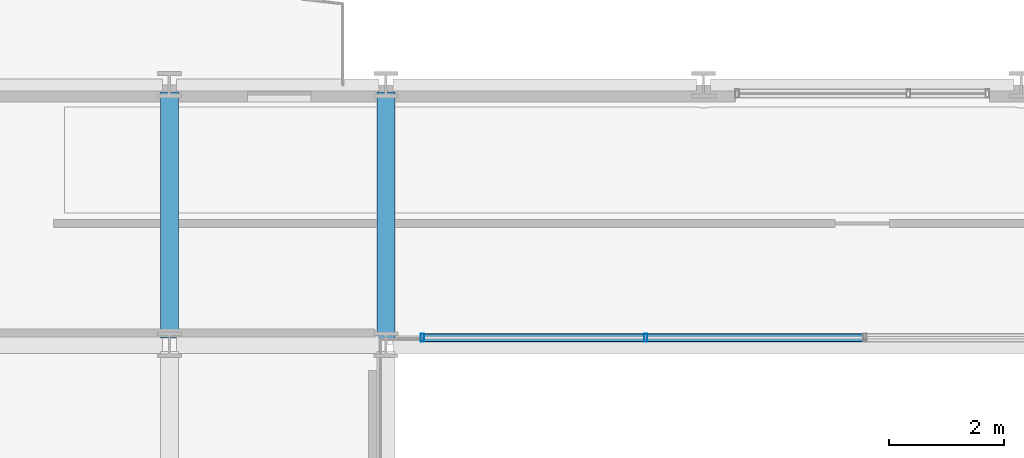
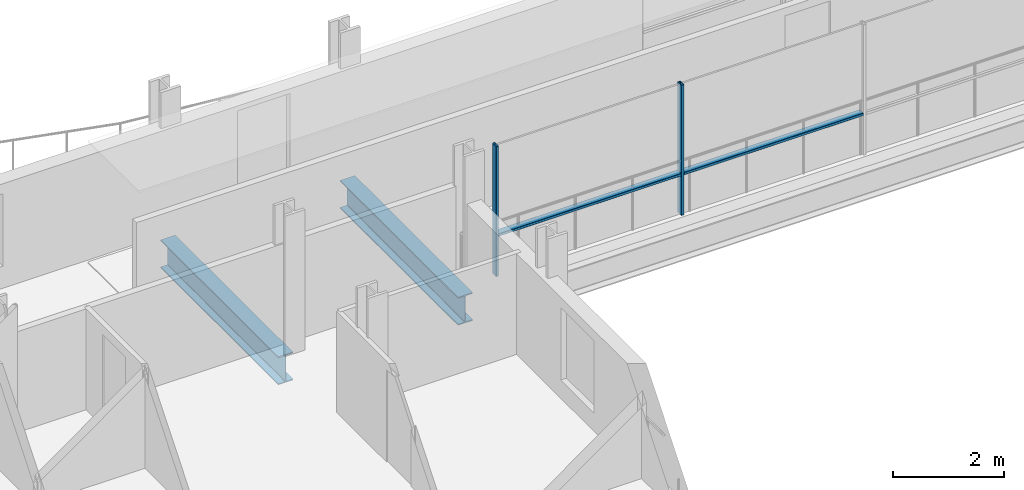
# One storey, part 9 of 41: 4 members, 2 beams, 1 element without a shape of its own.
"""IFC4 building model written with IfcOpenShell, lengths in metres."""

import ifcopenshell
import ifcopenshell.guid

model = None  # the IFC model being written
_history = None  # IfcOwnerHistory: only IFC2X3 demands one
_inside = {}  # id of a spatial element -> (the spatial element, [elements in it])
_under = {}  # id of a project, library or spatial element -> (it, [spatial elements below it])
_declared = {}  # id of a project -> (the project, [libraries it declares])
_typed = {}  # id of a type object -> (the type object, [elements of that type])
_made_of = {}  # id of a material, layer set ... -> (it, [elements and type objects made of it])


def new_model(schema):
    """Start an empty IFC model of exactly this schema.

    Asked for "IFC4X3", IfcOpenShell would pick the latest addendum, in which some entities
    have other attributes; the version numbers below select the first issue.
    IFC2X3 requires an IfcOwnerHistory on every rooted entity: one is made here for all.
    """
    global model, _history
    if schema == "IFC4X3":
        model = ifcopenshell.file(schema_version=(4, 3, 0, 0))
    else:
        model = ifcopenshell.file(schema=schema)
    _inside.clear()
    _under.clear()
    _declared.clear()
    _typed.clear()
    _made_of.clear()
    _history = None
    if model.schema == "IFC2X3":
        org = make("IfcOrganization", Name="unknown")
        user = make(
            "IfcPersonAndOrganization",
            ThePerson=make("IfcPerson", FamilyName="unknown"),
            TheOrganization=org,
        )
        app = make(
            "IfcApplication",
            ApplicationDeveloper=org,
            Version="unknown",
            ApplicationFullName="unknown",
            ApplicationIdentifier="unknown",
        )
        _history = make(
            "IfcOwnerHistory",
            OwningUser=user,
            OwningApplication=app,
            ChangeAction="ADDED",
            CreationDate=0,
        )
    return model


def make(cls, **values):
    """One entity of the class cls with the attributes given. An attribute that is None is left unset."""
    return model.create_entity(
        cls, **{name: value for name, value in values.items() if value is not None}
    )


def rooted(cls, **values):
    """An entity with a GlobalId (a new one), such as an element, a storey or a relation."""
    return make(cls, GlobalId=ifcopenshell.guid.new(), OwnerHistory=_history, **values)


def si_unit(unit_type, name, prefix=None):
    """IfcSIUnit, for example si_unit("LENGTHUNIT", "METRE", prefix="MILLI")."""
    return make("IfcSIUnit", UnitType=unit_type, Prefix=prefix, Name=name)


def assignment(units):
    """IfcUnitAssignment: the units of a project."""
    return None if units is None else make("IfcUnitAssignment", Units=units)


def point(xyz):
    """IfcCartesianPoint."""
    return None if xyz is None else make("IfcCartesianPoint", Coordinates=xyz)


def direction(xyz):
    """IfcDirection."""
    return None if xyz is None else make("IfcDirection", DirectionRatios=xyz)


def frame(location, z_axis=None, x_axis=None):
    """IfcAxis2Placement3D, a coordinate frame: its origin and axes. An axis left out is left unset."""
    return make(
        "IfcAxis2Placement3D",
        Location=point(location),
        Axis=direction(z_axis),
        RefDirection=direction(x_axis),
    )


def frame_2d(location, x_axis=None):
    """IfcAxis2Placement2D, a coordinate frame in the plane: its origin and x axis."""
    return make(
        "IfcAxis2Placement2D", Location=point(location), RefDirection=direction(x_axis)
    )


def origin():
    """The frame at (0, 0, 0) with its axes left unset."""
    return frame((0.0, 0.0, 0.0))


def origin_2d():
    """The frame at (0, 0) in the plane with its x axis left unset."""
    return frame_2d((0.0, 0.0))


def place(relative_to, where):
    """IfcLocalPlacement: puts the frame where relative to a parent placement (None: the world)."""
    return make(
        "IfcLocalPlacement", PlacementRelTo=relative_to, RelativePlacement=where
    )


def context(
    kind, dimensions, precision=None, world=None, true_north=None, identifier=None
):
    """IfcGeometricRepresentationContext, for example the 3D "Model" context."""
    return make(
        "IfcGeometricRepresentationContext",
        ContextIdentifier=identifier,
        ContextType=kind,
        CoordinateSpaceDimension=dimensions,
        Precision=precision,
        WorldCoordinateSystem=world,
        TrueNorth=true_north,
    )


def subcontext(parent, identifier, kind, view, scale=None):
    """IfcGeometricRepresentationSubContext, for example "Body" below "Model"."""
    return make(
        "IfcGeometricRepresentationSubContext",
        ContextIdentifier=identifier,
        ContextType=kind,
        ParentContext=parent,
        TargetScale=scale,
        TargetView=view,
    )


def project(units=None, contexts=None):
    """IfcProject with its units and contexts."""
    return rooted(
        "IfcProject",
        Name="project",
        RepresentationContexts=contexts,
        UnitsInContext=assignment(units),
    )


def spatial(cls, under=None, at=None, **own):
    """A site, building, storey or space (cls), placed at a placement, below another one or the project."""
    s = rooted(cls, ObjectPlacement=at, **own)
    if under is not None:
        _under.setdefault(under.id(), (under, []))[1].append(s)
    return s


def profile(cls, at=None, kind="AREA", **sizes):
    """A parametric profile (cls). Its sizes go by their IFC names, for example OverallWidth=200.0."""
    return make(cls, ProfileType=kind, Position=at, **sizes)


def hollow_rectangle(**sizes):
    """IfcRectangleHollowProfileDef."""
    return profile("IfcRectangleHollowProfileDef", **sizes)


def i_section(**sizes):
    """IfcIShapeProfileDef."""
    return profile("IfcIShapeProfileDef", **sizes)


def extrude(swept, where, along, depth):
    """IfcExtrudedAreaSolid: the profile swept, set in the frame where, extruded along a direction by depth."""
    return make(
        "IfcExtrudedAreaSolid",
        SweptArea=swept,
        Position=where,
        ExtrudedDirection=direction(along),
        Depth=depth,
    )


def shape(context_of_items, identifier, shape_type, items):
    """IfcShapeRepresentation: the items that make up one representation, for example the "Body"."""
    return make(
        "IfcShapeRepresentation",
        ContextOfItems=context_of_items,
        RepresentationIdentifier=identifier,
        RepresentationType=shape_type,
        Items=items,
    )


def material(Name=None, Category=None):
    """IfcMaterial."""
    return make("IfcMaterial", Name=Name, Category=Category)


def layer(
    of_material, thickness, ventilated=None, Name=None, Category=None, Priority=None
):
    """IfcMaterialLayer: one layer of a wall or slab, of a material (None: an air gap)."""
    return make(
        "IfcMaterialLayer",
        Material=of_material,
        LayerThickness=thickness,
        IsVentilated=ventilated,
        Name=Name,
        Category=Category,
        Priority=Priority,
    )


def layer_set(layers, Name=None):
    """IfcMaterialLayerSet."""
    return make("IfcMaterialLayerSet", MaterialLayers=layers, LayerSetName=Name)


def material_profile(
    of_material, cross_section, Name=None, Category=None, Priority=None
):
    """IfcMaterialProfile: a cross section and its material."""
    return make(
        "IfcMaterialProfile",
        Name=Name,
        Material=of_material,
        Profile=cross_section,
        Priority=Priority,
        Category=Category,
    )


def profile_set(profiles, Name=None, composite=None):
    """IfcMaterialProfileSet."""
    return make(
        "IfcMaterialProfileSet",
        Name=Name,
        MaterialProfiles=profiles,
        CompositeProfile=composite,
    )


def made_of(thing, what):
    """Note that an element or type object is made of a material, layer set ...; save() writes the relation."""
    if what is not None:
        _made_of.setdefault(what.id(), (what, []))[1].append(thing)
    return thing


def type_object(cls, material=None, **own):
    """A type object (cls), such as IfcWallType, which elements share."""
    return made_of(rooted(cls, **own), material)


def element(
    cls,
    number,
    at=None,
    inside=None,
    cuts=None,
    type_object=None,
    material=None,
    context=None,
    identifier="Body",
    shape_type=None,
    held_by="IfcProductDefinitionShape",
    body=None,
    shapes=None,
    **own,
):
    """One element of the class cls, such as IfcWall. Its Tag is "e" and its number.

    at: its placement. inside: the storey or other place that contains it. cuts: it is an
    opening in that element (IfcRelVoidsElement). A single representation is given by context,
    identifier, shape_type and body (its items); several are given by shapes. held_by: the class
    of the entity that holds the representations. save() writes the other relations.
    """
    e = rooted(cls, Tag="e%d" % number, ObjectPlacement=at, **own)
    if body is not None:
        shapes = [shape(context, identifier, shape_type, body)]
    if shapes is not None:
        e.Representation = make(held_by, Representations=shapes)
    if inside is not None:
        _inside.setdefault(inside.id(), (inside, []))[1].append(e)
    if cuts is not None:
        rooted(
            "IfcRelVoidsElement", RelatingBuildingElement=cuts, RelatedOpeningElement=e
        )
    if type_object is not None:
        _typed.setdefault(type_object.id(), (type_object, []))[1].append(e)
    return made_of(e, material)


def aggregate(whole, parts):
    """IfcRelAggregates: a whole, such as a stair, and the parts it consists of."""
    return rooted("IfcRelAggregates", RelatingObject=whole, RelatedObjects=parts)


def save(model, path):
    """Write the relations noted so far, then the file.

    IfcRelAggregates (storeys below a building ...), IfcRelContainedInSpatialStructure (elements
    in a storey), IfcRelDefinesByType, IfcRelAssociatesMaterial and IfcRelDeclares: one each for
    every whole, place, type object, material and project.
    """
    for whole, parts in _under.values():
        aggregate(whole, parts)
    for where, things in _inside.values():
        rooted(
            "IfcRelContainedInSpatialStructure",
            RelatedElements=things,
            RelatingStructure=where,
        )
    for kind, things in _typed.values():
        rooted("IfcRelDefinesByType", RelatedObjects=things, RelatingType=kind)
    for what, things in _made_of.values():
        rooted("IfcRelAssociatesMaterial", RelatedObjects=things, RelatingMaterial=what)
    for by, libraries in _declared.values():
        rooted("IfcRelDeclares", RelatingContext=by, RelatedDefinitions=libraries)
    model.write(path)


model = new_model("IFC4")

# Units and contexts
model_context = context("Model", 3, precision=1e-05, world=origin(), true_north=direction((0.0, 1.0)))
body_context = subcontext(model_context, "Body", "Model", "MODEL_VIEW")
ifc_project = project(units=[si_unit("LENGTHUNIT", "METRE"), si_unit("AREAUNIT", "SQUARE_METRE"), si_unit("VOLUMEUNIT", "CUBIC_METRE"), si_unit("PLANEANGLEUNIT", "RADIAN"), si_unit("MASSUNIT", "GRAM", prefix="KILO")], contexts=[model_context])

# Site, building, storey
site_placement = place(None, origin())
site = spatial("IfcSite", under=ifc_project, at=site_placement, CompositionType="ELEMENT")
building_placement = place(site_placement, origin())
building = spatial("IfcBuilding", under=site, at=building_placement, Name="Brevholm Reach", CompositionType="ELEMENT")
storey_placement = place(building_placement, frame((0.0, 0.0, 86.89990234375)))
storey = spatial("IfcBuildingStorey", under=building, at=storey_placement, Name="L25", CompositionType="ELEMENT", Elevation=86.89990234375)

# Beams
ifc_material_1 = material(Name="Structural Steel S355J2", Category="steel")
ifc_material_profile_1 = material_profile(ifc_material_1, i_section(OverallWidth=0.30712890625, OverallDepth=0.6201171875, WebThickness=0.01416015625, FlangeThickness=0.023681640625, FilletRadius=0.0166015625, at=origin_2d()), Name="UKB 610x305x179")
ifc_profile_set_1 = profile_set([ifc_material_profile_1], Name="Structural Steel S355J2")
beam_type = type_object("IfcBeamType", Name="BM-UKB610H", PredefinedType="USERDEFINED", material=ifc_profile_set_1)
for number, where, z_axis, x_axis, name in (
    (1, (18.0, 26.6201171875, -0.5400390625), (0.0, 1.0, 0.0), (-1.0, 0.0, 0.0), "L25 G-06 Framing Beam"),
    (2, (21.75, 26.6201171875, -0.5400390625), (0.0, 1.0, 0.0), (-1.0, 0.0, 0.0), "L25 G-06 Framing Beam"),
):
    element("IfcBeam", number, at=place(storey_placement, frame(where, z_axis=z_axis, x_axis=x_axis)), inside=storey, type_object=beam_type, Name=name, ObjectType="GIRDER", PredefinedType="USERDEFINED", context=body_context, shape_type="SweptSolid", body=[
        extrude(i_section(OverallWidth=0.30712890625, OverallDepth=0.6201171875, WebThickness=0.01416015625, FlangeThickness=0.023681640625, FilletRadius=0.0166015625, at=origin_2d()), origin(), (0.0, 0.0, 1.0), 4.259765625),
    ])

# Curtain wall, members
ifc_material_2 = material(Name="Dark Anodised Aluminium 6063-T6 and Solar-Control Glass", Category="aluminium")
ifc_layer = layer(ifc_material_2, 0.139892578125)
ifc_layer_set = layer_set([ifc_layer], Name="Dark Anodised Aluminium 6063-T6 and Solar-Control Glass")
curtain_wall_type = type_object("IfcCurtainWallType", Name="CW-02", PredefinedType="NOTDEFINED", material=ifc_layer_set)
curtain_wall_placement = place(storey_placement, origin())
curtain_wall = element("IfcCurtainWall", 3, at=curtain_wall_placement, inside=storey, type_object=curtain_wall_type, Name="L25 Curtain Wall CW-02", PredefinedType="NOTDEFINED")
ifc_material_3 = material(Name="Dark Anodised Aluminium 6063-T6", Category="aluminium")
ifc_material_profile_2 = material_profile(ifc_material_3, hollow_rectangle(XDim=0.06005859375, YDim=0.139892578125, WallThickness=0.0048828125, InnerFilletRadius=0.0048828125, OuterFilletRadius=0.010009765625, at=origin_2d()), Name="RHS 140x60x5")
ifc_profile_set_2 = profile_set([ifc_material_profile_2], Name="Dark Anodised Aluminium 6063-T6")
member_type_1 = type_object("IfcMemberType", Name="CWM-140", PredefinedType="MULLION", material=ifc_profile_set_2)
member_1_placement = place(storey_placement, frame((26.25, 26.6201171875, 0.0), z_axis=(0.0, 0.0, 1.0), x_axis=(-1.0, 0.0, 0.0)))
member_1 = element("IfcMember", 4, at=member_1_placement, type_object=member_type_1, Name="CM-140 Mullion 4", PredefinedType="MULLION", context=body_context, shape_type="SweptSolid", body=[
    extrude(hollow_rectangle(XDim=0.06005859375, YDim=0.139892578125, WallThickness=0.0048828125, InnerFilletRadius=0.0048828125, OuterFilletRadius=0.010009765625, at=origin_2d()), origin(), (0.0, 0.0, 1.0), 2.8701171875),
])
member_2_placement = place(storey_placement, frame((22.3798828125, 26.6201171875, 0.0), z_axis=(0.0, 0.0, 1.0), x_axis=(-1.0, 0.0, 0.0)))
member_2 = element("IfcMember", 5, at=member_2_placement, type_object=member_type_1, Name="CM-140 Mullion 5", PredefinedType="MULLION", context=body_context, shape_type="SweptSolid", body=[
    extrude(hollow_rectangle(XDim=0.06005859375, YDim=0.139892578125, WallThickness=0.0048828125, InnerFilletRadius=0.0048828125, OuterFilletRadius=0.010009765625, at=origin_2d()), origin(), (0.0, 0.0, 1.0), 2.8701171875),
])
ifc_material_4 = material(Name="Dark Anodised Aluminium 6063-T6", Category="aluminium")
ifc_material_profile_3 = material_profile(ifc_material_4, hollow_rectangle(XDim=0.06005859375, YDim=0.139892578125, WallThickness=0.0048828125, InnerFilletRadius=0.0048828125, OuterFilletRadius=0.010009765625, at=origin_2d()), Name="RHS 140x60x5")
ifc_profile_set_3 = profile_set([ifc_material_profile_3], Name="Dark Anodised Aluminium 6063-T6")
member_type_2 = type_object("IfcMemberType", Name="CWT-140", PredefinedType="NOTDEFINED", material=ifc_profile_set_3)
member_3_placement = place(storey_placement, frame((30.02001953125, 26.6201171875, 0.900146484375), z_axis=(-1.0, 0.0, 0.0), x_axis=(0.0, 0.0, 1.0)))
member_3 = element("IfcMember", 6, at=member_3_placement, type_object=member_type_2, Name="CT-140 Transom 3.1", ObjectType="TRANSOM", PredefinedType="USERDEFINED", context=body_context, shape_type="SweptSolid", body=[
    extrude(hollow_rectangle(XDim=0.06005859375, YDim=0.139892578125, WallThickness=0.0048828125, InnerFilletRadius=0.0048828125, OuterFilletRadius=0.010009765625, at=origin_2d()), origin(), (0.0, 0.0, 1.0), 3.739990234375),
])
member_4_placement = place(storey_placement, frame((26.219970703125, 26.6201171875, 0.900146484375), z_axis=(-1.0, 0.0, 0.0), x_axis=(0.0, 0.0, 1.0)))
member_4 = element("IfcMember", 7, at=member_4_placement, type_object=member_type_2, Name="CT-140 Transom 4.1", ObjectType="TRANSOM", PredefinedType="USERDEFINED", context=body_context, shape_type="SweptSolid", body=[
    extrude(hollow_rectangle(XDim=0.06005859375, YDim=0.139892578125, WallThickness=0.0048828125, InnerFilletRadius=0.0048828125, OuterFilletRadius=0.010009765625, at=origin_2d()), origin(), (0.0, 0.0, 1.0), 3.81005859375),
])
aggregate(curtain_wall, [member_1, member_2, member_3, member_4])

save(model, "model.ifc")
